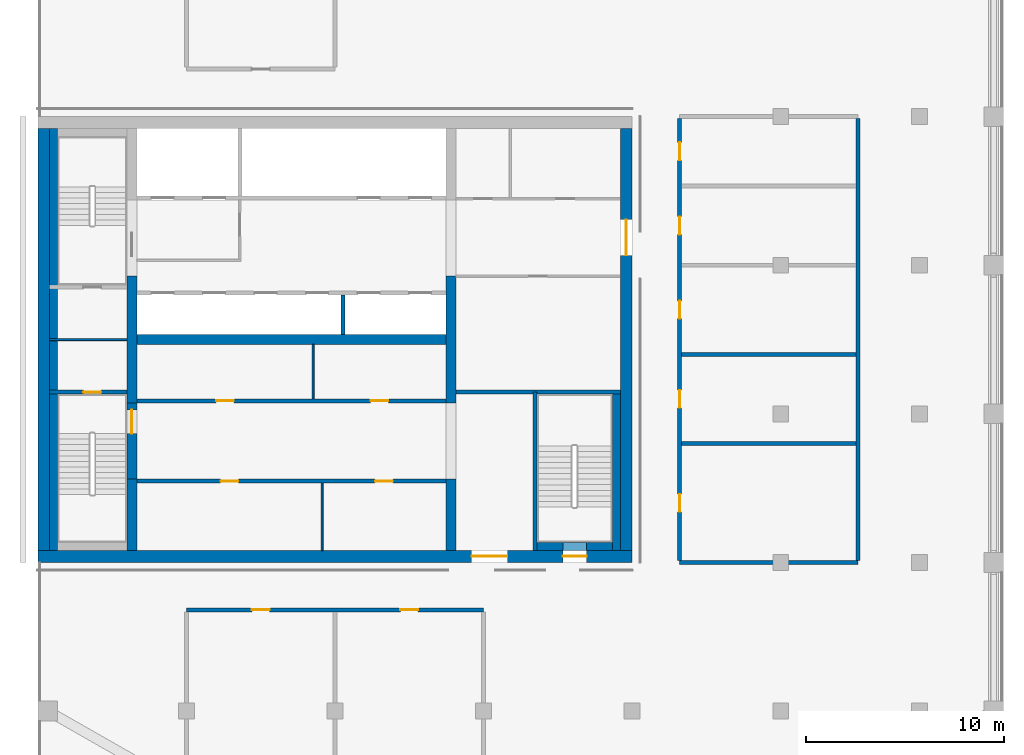
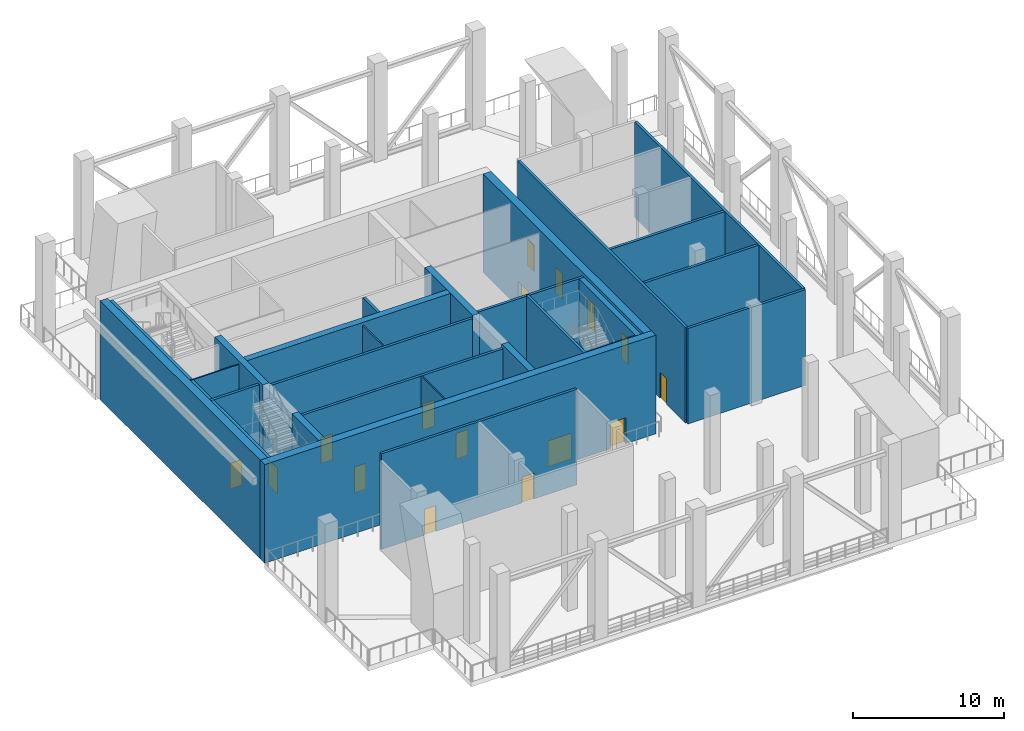
# One storey, part 2 of 11: 29 walls, 16 doors, 16 openings.
"""IFC4 building model written with IfcOpenShell, lengths in metres."""

from ifc_helpers import new_model, si_unit, direction, frame, frame_2d, origin, place, context, subcontext, project, spatial, rectangle, extrude, material, layer, layer_set, type_object, element, fill, save


model = new_model("IFC4")

# Units and contexts
model_context = context("Model", 3, precision=1e-05, world=origin(), true_north=direction((0.0, 1.0)))
body_context = subcontext(model_context, "Body", "Model", "MODEL_VIEW")
ifc_project = project(units=[si_unit("LENGTHUNIT", "METRE"), si_unit("AREAUNIT", "SQUARE_METRE"), si_unit("VOLUMEUNIT", "CUBIC_METRE"), si_unit("PLANEANGLEUNIT", "RADIAN"), si_unit("MASSUNIT", "GRAM", prefix="KILO")], contexts=[model_context])

# Site, building, storey
site_placement = place(None, origin())
site = spatial("IfcSite", under=ifc_project, at=site_placement, CompositionType="ELEMENT")
building_placement = place(site_placement, origin())
building = spatial("IfcBuilding", under=site, at=building_placement, Name="Tamorin Gate", CompositionType="ELEMENT")
storey_placement = place(building_placement, frame((0.0, 0.0, 258.199951171875)))
storey = spatial("IfcBuildingStorey", under=building, at=storey_placement, Name="L65", CompositionType="ELEMENT", Elevation=258.199951171875)

# Wall
ifc_material_1 = material(Name="Concrete C32/40", Category="concrete")
ifc_layer_1 = layer(ifc_material_1, 0.199951171875)
ifc_layer_set_1 = layer_set([ifc_layer_1], Name="Lift shaft wall 200 EI 120")
wall_type_1 = type_object("IfcWallType", Name="Lift shaft wall 200 EI 120", PredefinedType="SOLIDWALL", material=ifc_layer_set_1)
wall_1_placement = place(storey_placement, frame((45.39990234375, 71.5, 0.0), z_axis=(0.0, 0.0, 1.0), x_axis=(0.0, 1.0, 0.0)))
element("IfcWall", 1, at=wall_1_placement, inside=storey, type_object=wall_type_1, Name="Lift shaft wall", PredefinedType="SOLIDWALL", context=body_context, shape_type="SweptSolid", body=[
    extrude(rectangle(XDim=2.0, YDim=0.199951171875, at=frame_2d((1.0, 0.0))), origin(), (0.0, 0.0, 1.0), 8.0),
])

# Wall, openings, doors
ifc_material_2 = material(Name="Gypsum board partition")
ifc_layer_2 = layer(ifc_material_2, 0.199951171875)
ifc_layer_set_2 = layer_set([ifc_layer_2], Name="Plant and refuge wall 200")
wall_type_2 = type_object("IfcWallType", Name="Plant and refuge wall 200", PredefinedType="PARTITIONING", material=ifc_layer_set_2)
wall_2_placement = place(storey_placement, frame((37.5, 57.60009765625, 0.0), z_axis=(0.0, 0.0, 1.0), x_axis=(1.0, 0.0, 0.0)))
wall_2 = element("IfcWall", 2, at=wall_2_placement, inside=storey, type_object=wall_type_2, Name="Plant and refuge wall 200", PredefinedType="PARTITIONING", context=body_context, shape_type="SweptSolid", body=[
    extrude(rectangle(XDim=15.0, YDim=0.199951171875, at=frame_2d((7.5, 0.0))), origin(), (0.0, 0.0, 1.0), 7.75),
])
opening_1_placement = place(wall_2_placement, frame((3.300048828125, 0.0, 0.0)))
opening_1 = element("IfcOpeningElement", 3, at=opening_1_placement, cuts=wall_2, Name="Opening DWF2006", PredefinedType="OPENING", context=body_context, shape_type="SweptSolid", body=[
    extrude(rectangle(XDim=0.89990234375, YDim=2.10009765625, at=frame_2d((0.449951171875, 1.050048828125))), frame((0.0, 0.10986328125, 0.0), z_axis=(0.0, -1.0, 0.0), x_axis=(1.0, 0.0, 0.0)), (0.0, 0.0, 1.0), 0.219970703125),
])
opening_2_placement = place(wall_2_placement, frame((10.800048828125, 0.0, 0.0)))
opening_2 = element("IfcOpeningElement", 4, at=opening_2_placement, cuts=wall_2, Name="Opening DWF2007", PredefinedType="OPENING", context=body_context, shape_type="SweptSolid", body=[
    extrude(rectangle(XDim=0.89990234375, YDim=2.10009765625, at=frame_2d((0.449951171875, 1.050048828125))), frame((0.0, 0.10986328125, 0.0), z_axis=(0.0, -1.0, 0.0), x_axis=(1.0, 0.0, 0.0)), (0.0, 0.0, 1.0), 0.219970703125),
])
ifc_material_3 = material(Name="Timber door leaf", Category="wood")
door_type_1 = type_object("IfcDoorType", Name="Door 900 x 2100 FD60", OperationType="NOTDEFINED", PredefinedType="DOOR", material=ifc_material_3)
door_1_placement = place(opening_1_placement, origin())
door_1 = element("IfcDoor", 5, at=door_1_placement, inside=storey, type_object=door_type_1, Name="Door DWF2006", OperationType="SINGLE_SWING_RIGHT", OverallHeight=2.10009765625, OverallWidth=0.89990234375, PredefinedType="DOOR", context=body_context, shape_type="SweptSolid", body=[
    extrude(rectangle(XDim=0.89990234375, YDim=2.10009765625, at=frame_2d((0.449951171875, 1.050048828125))), frame((0.0, 0.02490234375, 0.0), z_axis=(0.0, -1.0, 0.0), x_axis=(1.0, 0.0, 0.0)), (0.0, 0.0, 1.0), 0.050048828125),
])
fill(opening_1, door_1)
door_2_placement = place(opening_2_placement, origin())
door_2 = element("IfcDoor", 6, at=door_2_placement, inside=storey, type_object=door_type_1, Name="Door DWF2007", OperationType="SINGLE_SWING_RIGHT", OverallHeight=2.10009765625, OverallWidth=0.89990234375, PredefinedType="DOOR", context=body_context, shape_type="SweptSolid", body=[
    extrude(rectangle(XDim=0.89990234375, YDim=2.10009765625, at=frame_2d((0.449951171875, 1.050048828125))), frame((0.0, 0.02490234375, 0.0), z_axis=(0.0, -1.0, 0.0), x_axis=(1.0, 0.0, 0.0)), (0.0, 0.0, 1.0), 0.050048828125),
])
fill(opening_2, door_2)

# Walls
wall_3_placement = place(storey_placement, frame((62.39990234375, 60.0, 0.0), z_axis=(0.0, 0.0, 1.0), x_axis=(1.0, 0.0, 0.0)))
element("IfcWall", 7, at=wall_3_placement, inside=storey, type_object=wall_type_2, Name="Plant and refuge wall 200", PredefinedType="PARTITIONING", context=body_context, shape_type="SweptSolid", body=[
    extrude(rectangle(XDim=9.0, YDim=0.199951171875, at=frame_2d((4.5, 0.0))), origin(), (0.0, 0.0, 1.0), 7.75),
])
for number, where, z_axis, x_axis, name in (
    (8, (62.5, 66.0, 0.0), (0.0, 0.0, 1.0), (1.0, 0.0, 0.0), "Plant and refuge wall 200"),
    (9, (62.5, 70.5, 0.0), (0.0, 0.0, 1.0), (1.0, 0.0, 0.0), "Plant and refuge wall 200"),
):
    element("IfcWall", number, at=place(storey_placement, frame(where, z_axis=z_axis, x_axis=x_axis)), inside=storey, type_object=wall_type_2, Name=name, PredefinedType="PARTITIONING", context=body_context, shape_type="SweptSolid", body=[
        extrude(rectangle(XDim=8.800048828125, YDim=0.199951171875, at=frame_2d((4.39990234375, 0.0))), origin(), (0.0, 0.0, 1.0), 7.75),
    ])

# Wall, openings, doors
wall_4_placement = place(storey_placement, frame((62.39990234375, 60.10009765625, 0.0), z_axis=(0.0, 0.0, 1.0), x_axis=(0.0, 1.0, 0.0)))
wall_4 = element("IfcWall", 10, at=wall_4_placement, inside=storey, type_object=wall_type_2, Name="Plant and refuge wall 200", PredefinedType="PARTITIONING", context=body_context, shape_type="SweptSolid", body=[
    extrude(rectangle(XDim=22.2998046875, YDim=0.199951171875, at=frame_2d((11.14990234375, 0.0))), origin(), (0.0, 0.0, 1.0), 7.75),
])
opening_3_placement = place(wall_4_placement, frame((2.449951171875, 0.0, 0.0)))
opening_3 = element("IfcOpeningElement", 11, at=opening_3_placement, cuts=wall_4, Name="Opening DWF2001", PredefinedType="OPENING", context=body_context, shape_type="SweptSolid", body=[
    extrude(rectangle(XDim=0.89990234375, YDim=2.10009765625, at=frame_2d((0.449951171875, 1.050048828125))), frame((0.0, 0.10986328125, 0.0), z_axis=(0.0, -1.0, 0.0), x_axis=(1.0, 0.0, 0.0)), (0.0, 0.0, 1.0), 0.219970703125),
])
opening_4_placement = place(wall_4_placement, frame((7.699951171875, 0.0, 0.0)))
opening_4 = element("IfcOpeningElement", 12, at=opening_4_placement, cuts=wall_4, Name="Opening DWF2002", PredefinedType="OPENING", context=body_context, shape_type="SweptSolid", body=[
    extrude(rectangle(XDim=0.89990234375, YDim=2.10009765625, at=frame_2d((0.449951171875, 1.050048828125))), frame((0.0, 0.10986328125, 0.0), z_axis=(0.0, -1.0, 0.0), x_axis=(1.0, 0.0, 0.0)), (0.0, 0.0, 1.0), 0.219970703125),
])
opening_5_placement = place(wall_4_placement, frame((12.199951171875, 0.0, 0.0)))
opening_5 = element("IfcOpeningElement", 13, at=opening_5_placement, cuts=wall_4, Name="Opening DWF2003", PredefinedType="OPENING", context=body_context, shape_type="SweptSolid", body=[
    extrude(rectangle(XDim=0.89990234375, YDim=2.10009765625, at=frame_2d((0.449951171875, 1.050048828125))), frame((0.0, 0.10986328125, 0.0), z_axis=(0.0, -1.0, 0.0), x_axis=(1.0, 0.0, 0.0)), (0.0, 0.0, 1.0), 0.219970703125),
])
opening_6_placement = place(wall_4_placement, frame((16.449951171875, 0.0, 0.0)))
opening_6 = element("IfcOpeningElement", 14, at=opening_6_placement, cuts=wall_4, Name="Opening DWF2004", PredefinedType="OPENING", context=body_context, shape_type="SweptSolid", body=[
    extrude(rectangle(XDim=0.89990234375, YDim=2.10009765625, at=frame_2d((0.449951171875, 1.050048828125))), frame((0.0, 0.10986328125, 0.0), z_axis=(0.0, -1.0, 0.0), x_axis=(1.0, 0.0, 0.0)), (0.0, 0.0, 1.0), 0.219970703125),
])
opening_7_placement = place(wall_4_placement, frame((20.199951171875, 0.0, 0.0)))
opening_7 = element("IfcOpeningElement", 15, at=opening_7_placement, cuts=wall_4, Name="Opening DWF2005", PredefinedType="OPENING", context=body_context, shape_type="SweptSolid", body=[
    extrude(rectangle(XDim=0.89990234375, YDim=2.10009765625, at=frame_2d((0.449951171875, 1.050048828125))), frame((0.0, 0.10986328125, 0.0), z_axis=(0.0, -1.0, 0.0), x_axis=(1.0, 0.0, 0.0)), (0.0, 0.0, 1.0), 0.219970703125),
])
door_3_placement = place(opening_3_placement, origin())
door_3 = element("IfcDoor", 16, at=door_3_placement, inside=storey, type_object=door_type_1, Name="Door DWF2001", OperationType="SINGLE_SWING_RIGHT", OverallHeight=2.10009765625, OverallWidth=0.89990234375, PredefinedType="DOOR", context=body_context, shape_type="SweptSolid", body=[
    extrude(rectangle(XDim=0.89990234375, YDim=2.10009765625, at=frame_2d((0.449951171875, 1.050048828125))), frame((0.0, 0.02490234375, 0.0), z_axis=(0.0, -1.0, 0.0), x_axis=(1.0, 0.0, 0.0)), (0.0, 0.0, 1.0), 0.050048828125),
])
fill(opening_3, door_3)
door_4_placement = place(opening_4_placement, origin())
door_4 = element("IfcDoor", 17, at=door_4_placement, inside=storey, type_object=door_type_1, Name="Door DWF2002", OperationType="SINGLE_SWING_RIGHT", OverallHeight=2.10009765625, OverallWidth=0.89990234375, PredefinedType="DOOR", context=body_context, shape_type="SweptSolid", body=[
    extrude(rectangle(XDim=0.89990234375, YDim=2.10009765625, at=frame_2d((0.449951171875, 1.050048828125))), frame((0.0, 0.02490234375, 0.0), z_axis=(0.0, -1.0, 0.0), x_axis=(1.0, 0.0, 0.0)), (0.0, 0.0, 1.0), 0.050048828125),
])
fill(opening_4, door_4)
door_5_placement = place(opening_5_placement, origin())
door_5 = element("IfcDoor", 18, at=door_5_placement, inside=storey, type_object=door_type_1, Name="Door DWF2003", OperationType="SINGLE_SWING_RIGHT", OverallHeight=2.10009765625, OverallWidth=0.89990234375, PredefinedType="DOOR", context=body_context, shape_type="SweptSolid", body=[
    extrude(rectangle(XDim=0.89990234375, YDim=2.10009765625, at=frame_2d((0.449951171875, 1.050048828125))), frame((0.0, 0.02490234375, 0.0), z_axis=(0.0, -1.0, 0.0), x_axis=(1.0, 0.0, 0.0)), (0.0, 0.0, 1.0), 0.050048828125),
])
fill(opening_5, door_5)
door_6_placement = place(opening_6_placement, origin())
door_6 = element("IfcDoor", 19, at=door_6_placement, inside=storey, type_object=door_type_1, Name="Door DWF2004", OperationType="SINGLE_SWING_RIGHT", OverallHeight=2.10009765625, OverallWidth=0.89990234375, PredefinedType="DOOR", context=body_context, shape_type="SweptSolid", body=[
    extrude(rectangle(XDim=0.89990234375, YDim=2.10009765625, at=frame_2d((0.449951171875, 1.050048828125))), frame((0.0, 0.02490234375, 0.0), z_axis=(0.0, -1.0, 0.0), x_axis=(1.0, 0.0, 0.0)), (0.0, 0.0, 1.0), 0.050048828125),
])
fill(opening_6, door_6)
door_7_placement = place(opening_7_placement, origin())
door_7 = element("IfcDoor", 20, at=door_7_placement, inside=storey, type_object=door_type_1, Name="Door DWF2005", OperationType="SINGLE_SWING_RIGHT", OverallHeight=2.10009765625, OverallWidth=0.89990234375, PredefinedType="DOOR", context=body_context, shape_type="SweptSolid", body=[
    extrude(rectangle(XDim=0.89990234375, YDim=2.10009765625, at=frame_2d((0.449951171875, 1.050048828125))), frame((0.0, 0.02490234375, 0.0), z_axis=(0.0, -1.0, 0.0), x_axis=(1.0, 0.0, 0.0)), (0.0, 0.0, 1.0), 0.050048828125),
])
fill(opening_7, door_7)

# Walls
wall_5_placement = place(storey_placement, frame((71.39990234375, 60.10009765625, 0.0), z_axis=(0.0, 0.0, 1.0), x_axis=(0.0, 1.0, 0.0)))
element("IfcWall", 21, at=wall_5_placement, inside=storey, type_object=wall_type_2, Name="Plant and refuge wall 200", PredefinedType="PARTITIONING", context=body_context, shape_type="SweptSolid", body=[
    extrude(rectangle(XDim=22.2998046875, YDim=0.199951171875, at=frame_2d((11.14990234375, 0.0))), origin(), (0.0, 0.0, 1.0), 7.75),
])
ifc_material_4 = material(Name="Concrete C50/60", Category="concrete")
ifc_layer_3 = layer(ifc_material_4, 0.5)
ifc_layer_set_3 = layer_set([ifc_layer_3], Name="RC core internal wall 500 C50/60")
wall_type_3 = type_object("IfcWallType", Name="RC core internal wall 500 C50/60", PredefinedType="SHEAR", material=ifc_layer_set_3)
wall_6_placement = place(storey_placement, frame((35.0, 71.25, 0.0), z_axis=(0.0, 0.0, 1.0), x_axis=(1.0, 0.0, 0.0)))
element("IfcWall", 22, at=wall_6_placement, inside=storey, type_object=wall_type_3, Name="Core spine wall L65", PredefinedType="SHEAR", context=body_context, shape_type="SweptSolid", body=[
    extrude(rectangle(XDim=15.60009765625, YDim=0.5, at=frame_2d((7.800048828125, 0.0))), origin(), (0.0, 0.0, 1.0), 8.0),
])
wall_7_placement = place(storey_placement, frame((34.75, 60.60009765625, 0.0), z_axis=(0.0, 0.0, 1.0), x_axis=(0.0, 1.0, 0.0)))
element("IfcWall", 23, at=wall_7_placement, inside=storey, type_object=wall_type_3, Name="Core cross wall L65", PredefinedType="SHEAR", context=body_context, shape_type="SweptSolid", body=[
    extrude(rectangle(XDim=3.599853515625, YDim=0.5, at=frame_2d((1.7998046875, 0.0))), origin(), (0.0, 0.0, 1.0), 8.0),
])
wall_8_placement = place(storey_placement, frame((34.75, 68.050048828125, 0.0), z_axis=(0.0, 0.0, 1.0), x_axis=(0.0, 1.0, 0.0)))
element("IfcWall", 24, at=wall_8_placement, inside=storey, type_object=wall_type_3, Name="Core cross wall L65", PredefinedType="SHEAR", context=body_context, shape_type="SweptSolid", body=[
    extrude(rectangle(XDim=6.39990234375, YDim=0.5, at=frame_2d((3.199951171875, 0.0))), origin(), (0.0, 0.0, 1.0), 8.0),
])
wall_9_placement = place(storey_placement, frame((50.85009765625, 60.60009765625, 0.0), z_axis=(0.0, 0.0, 1.0), x_axis=(0.0, 1.0, 0.0)))
element("IfcWall", 25, at=wall_9_placement, inside=storey, type_object=wall_type_3, Name="Core cross wall L65", PredefinedType="SHEAR", context=body_context, shape_type="SweptSolid", body=[
    extrude(rectangle(XDim=3.599853515625, YDim=0.5, at=frame_2d((1.7998046875, 0.0))), origin(), (0.0, 0.0, 1.0), 8.0),
])
wall_10_placement = place(storey_placement, frame((50.85009765625, 68.050048828125, 0.0), z_axis=(0.0, 0.0, 1.0), x_axis=(0.0, 1.0, 0.0)))
element("IfcWall", 26, at=wall_10_placement, inside=storey, type_object=wall_type_3, Name="Core cross wall L65", PredefinedType="SHEAR", context=body_context, shape_type="SweptSolid", body=[
    extrude(rectangle(XDim=6.39990234375, YDim=0.5, at=frame_2d((3.199951171875, 0.0))), origin(), (0.0, 0.0, 1.0), 8.0),
])

# Wall, openings, doors
ifc_layer_4 = layer(ifc_material_4, 0.60009765625)
ifc_layer_set_4 = layer_set([ifc_layer_4], Name="RC core wall 600 C50/60")
wall_type_4 = type_object("IfcWallType", Name="RC core wall 600 C50/60", PredefinedType="SHEAR", material=ifc_layer_set_4)
wall_11_placement = place(storey_placement, frame((30.0, 60.300048828125, 0.0), z_axis=(0.0, 0.0, 1.0), x_axis=(1.0, 0.0, 0.0)))
wall_11 = element("IfcWall", 27, at=wall_11_placement, inside=storey, type_object=wall_type_4, Name="Core wall L65", PredefinedType="SHEAR", context=body_context, shape_type="SweptSolid", body=[
    extrude(rectangle(XDim=30.0, YDim=0.60009765625, at=frame_2d((15.0, 0.0))), origin(), (0.0, 0.0, 1.0), 8.0),
])
opening_8_placement = place(wall_11_placement, frame((21.89990234375, 0.0, 0.0)))
opening_8 = element("IfcOpeningElement", 28, at=opening_8_placement, cuts=wall_11, Name="Opening DE1", PredefinedType="OPENING", context=body_context, shape_type="SweptSolid", body=[
    extrude(rectangle(XDim=1.800048828125, YDim=2.10009765625, at=frame_2d((0.89990234375, 1.050048828125))), frame((0.0, 0.31005859375, 0.0), z_axis=(0.0, -1.0, 0.0), x_axis=(1.0, 0.0, 0.0)), (0.0, 0.0, 1.0), 0.6201171875),
])
opening_9_placement = place(wall_11_placement, frame((26.5, 0.0, 0.0)))
opening_9 = element("IfcOpeningElement", 29, at=opening_9_placement, cuts=wall_11, Name="Opening DS1", PredefinedType="OPENING", context=body_context, shape_type="SweptSolid", body=[
    extrude(rectangle(XDim=1.199951171875, YDim=2.10009765625, at=frame_2d((0.60009765625, 1.050048828125))), frame((0.0, 0.31005859375, 0.0), z_axis=(0.0, -1.0, 0.0), x_axis=(1.0, 0.0, 0.0)), (0.0, 0.0, 1.0), 0.6201171875),
])
ifc_material_5 = material(Name="Steel fire door", Category="steel")
door_type_2 = type_object("IfcDoorType", Name="Lobby exit double door 1800 x 2100 EI 60", OperationType="DOUBLE_DOOR_SINGLE_SWING", PredefinedType="DOOR", material=ifc_material_5)
door_8_placement = place(opening_8_placement, origin())
door_8 = element("IfcDoor", 30, at=door_8_placement, inside=storey, type_object=door_type_2, Name="Lift lobby A exit door", OperationType="DOUBLE_DOOR_SINGLE_SWING", OverallHeight=2.10009765625, OverallWidth=1.800048828125, PredefinedType="DOOR", context=body_context, shape_type="SweptSolid", body=[
    extrude(rectangle(XDim=1.800048828125, YDim=2.10009765625, at=frame_2d((0.89990234375, 1.050048828125))), frame((0.0, 0.02490234375, 0.0), z_axis=(0.0, -1.0, 0.0), x_axis=(1.0, 0.0, 0.0)), (0.0, 0.0, 1.0), 0.050048828125),
])
fill(opening_8, door_8)
door_type_3 = type_object("IfcDoorType", Name="Stair door 1200 x 2100 EI 90", OperationType="SINGLE_SWING_LEFT", PredefinedType="DOOR", material=ifc_material_5)
door_9_placement = place(opening_9_placement, origin())
door_9 = element("IfcDoor", 31, at=door_9_placement, inside=storey, type_object=door_type_3, Name="ST3 door", OperationType="SINGLE_SWING_LEFT", OverallHeight=2.10009765625, OverallWidth=1.199951171875, PredefinedType="DOOR", context=body_context, shape_type="SweptSolid", body=[
    extrude(rectangle(XDim=1.199951171875, YDim=2.10009765625, at=frame_2d((0.60009765625, 1.050048828125))), frame((0.0, 0.02490234375, 0.0), z_axis=(0.0, -1.0, 0.0), x_axis=(1.0, 0.0, 0.0)), (0.0, 0.0, 1.0), 0.050048828125),
])
fill(opening_9, door_9)

# Wall
wall_12_placement = place(storey_placement, frame((30.300048828125, 60.60009765625, 0.0), z_axis=(0.0, 0.0, 1.0), x_axis=(0.0, 1.0, 0.0)))
element("IfcWall", 32, at=wall_12_placement, inside=storey, type_object=wall_type_4, Name="Core wall L65", PredefinedType="SHEAR", context=body_context, shape_type="SweptSolid", body=[
    extrude(rectangle(XDim=21.2998046875, YDim=0.60009765625, at=frame_2d((10.64990234375, 0.0))), origin(), (0.0, 0.0, 1.0), 8.0),
])

# Wall, opening, door
wall_13_placement = place(storey_placement, frame((59.699951171875, 60.60009765625, 0.0), z_axis=(0.0, 0.0, 1.0), x_axis=(0.0, 1.0, 0.0)))
wall_13 = element("IfcWall", 33, at=wall_13_placement, inside=storey, type_object=wall_type_4, Name="Core wall L65", PredefinedType="SHEAR", context=body_context, shape_type="SweptSolid", body=[
    extrude(rectangle(XDim=21.2998046875, YDim=0.60009765625, at=frame_2d((10.64990234375, 0.0))), origin(), (0.0, 0.0, 1.0), 8.0),
])
opening_10_placement = place(wall_13_placement, frame((14.89990234375, 0.0, 0.0)))
opening_10 = element("IfcOpeningElement", 34, at=opening_10_placement, cuts=wall_13, Name="Opening DE1", PredefinedType="OPENING", context=body_context, shape_type="SweptSolid", body=[
    extrude(rectangle(XDim=1.800048828125, YDim=2.10009765625, at=frame_2d((0.89990234375, 1.050048828125))), frame((0.0, 0.31005859375, 0.0), z_axis=(0.0, -1.0, 0.0), x_axis=(1.0, 0.0, 0.0)), (0.0, 0.0, 1.0), 0.6201171875),
])
door_10_placement = place(opening_10_placement, origin())
door_10 = element("IfcDoor", 35, at=door_10_placement, inside=storey, type_object=door_type_2, Name="Lift lobby B exit door", OperationType="DOUBLE_DOOR_SINGLE_SWING", OverallHeight=2.10009765625, OverallWidth=1.800048828125, PredefinedType="DOOR", context=body_context, shape_type="SweptSolid", body=[
    extrude(rectangle(XDim=1.800048828125, YDim=2.10009765625, at=frame_2d((0.89990234375, 1.050048828125))), frame((0.0, 0.02490234375, 0.0), z_axis=(0.0, -1.0, 0.0), x_axis=(1.0, 0.0, 0.0)), (0.0, 0.0, 1.0), 0.050048828125),
])
fill(opening_10, door_10)

# Wall
ifc_material_6 = material(Name="Fire-rated gypsum board partition")
ifc_layer_5 = layer(ifc_material_6, 0.10009765625)
ifc_layer_set_5 = layer_set([ifc_layer_5], Name="Riser partition 100 EI 120")
wall_type_5 = type_object("IfcWallType", Name="Riser partition 100 EI 120", PredefinedType="PARTITIONING", material=ifc_layer_set_5)
wall_14_placement = place(storey_placement, frame((30.60009765625, 71.25, 0.0), z_axis=(0.0, 0.0, 1.0), x_axis=(1.0, 0.0, 0.0)))
element("IfcWall", 36, at=wall_14_placement, inside=storey, type_object=wall_type_5, Name="Riser partition", PredefinedType="PARTITIONING", context=body_context, shape_type="SweptSolid", body=[
    extrude(rectangle(XDim=3.89990234375, YDim=0.10009765625, at=frame_2d((1.949951171875, 0.0))), origin(), (0.0, 0.0, 1.0), 7.75),
])

# Wall, openings, doors
ifc_layer_6 = layer(ifc_material_2, 0.199951171875)
ifc_layer_set_6 = layer_set([ifc_layer_6], Name="Service room face wall 200 EI 60")
wall_type_6 = type_object("IfcWallType", Name="Service room face wall 200 EI 60", PredefinedType="PARTITIONING", material=ifc_layer_set_6)
wall_15_placement = place(storey_placement, frame((35.0, 64.10009765625, 0.0), z_axis=(0.0, 0.0, 1.0), x_axis=(1.0, 0.0, 0.0)))
wall_15 = element("IfcWall", 37, at=wall_15_placement, inside=storey, type_object=wall_type_6, Name="Service room face wall", PredefinedType="PARTITIONING", context=body_context, shape_type="SweptSolid", body=[
    extrude(rectangle(XDim=15.60009765625, YDim=0.199951171875, at=frame_2d((7.800048828125, 0.0))), origin(), (0.0, 0.0, 1.0), 7.75),
])
opening_11_placement = place(wall_15_placement, frame((4.22509765625, 0.0, 0.0)))
opening_11 = element("IfcOpeningElement", 38, at=opening_11_placement, cuts=wall_15, Name="Opening DK1", PredefinedType="OPENING", context=body_context, shape_type="SweptSolid", body=[
    extrude(rectangle(XDim=0.89990234375, YDim=2.10009765625, at=frame_2d((0.449951171875, 1.050048828125))), frame((0.0, 0.10986328125, 0.0), z_axis=(0.0, -1.0, 0.0), x_axis=(1.0, 0.0, 0.0)), (0.0, 0.0, 1.0), 0.219970703125),
])
opening_12_placement = place(wall_15_placement, frame((12.02490234375, 0.0, 0.0)))
opening_12 = element("IfcOpeningElement", 39, at=opening_12_placement, cuts=wall_15, Name="Opening DK1", PredefinedType="OPENING", context=body_context, shape_type="SweptSolid", body=[
    extrude(rectangle(XDim=0.89990234375, YDim=2.10009765625, at=frame_2d((0.449951171875, 1.050048828125))), frame((0.0, 0.10986328125, 0.0), z_axis=(0.0, -1.0, 0.0), x_axis=(1.0, 0.0, 0.0)), (0.0, 0.0, 1.0), 0.219970703125),
])
ifc_material_7 = material(Name="Timber fire door", Category="wood")
door_type_4 = type_object("IfcDoorType", Name="Service room door 900 x 2100 EI 60", OperationType="SINGLE_SWING_LEFT", PredefinedType="DOOR", material=ifc_material_7)
door_11_placement = place(opening_11_placement, origin())
door_11 = element("IfcDoor", 40, at=door_11_placement, inside=storey, type_object=door_type_4, Name="Door Smoke extract riser room", OperationType="SINGLE_SWING_LEFT", OverallHeight=2.10009765625, OverallWidth=0.89990234375, PredefinedType="DOOR", context=body_context, shape_type="SweptSolid", body=[
    extrude(rectangle(XDim=0.89990234375, YDim=2.10009765625, at=frame_2d((0.449951171875, 1.050048828125))), frame((0.0, 0.02490234375, 0.0), z_axis=(0.0, -1.0, 0.0), x_axis=(1.0, 0.0, 0.0)), (0.0, 0.0, 1.0), 0.050048828125),
])
fill(opening_11, door_11)
door_12_placement = place(opening_12_placement, origin())
door_12 = element("IfcDoor", 41, at=door_12_placement, inside=storey, type_object=door_type_4, Name="Door Electrical switch room", OperationType="SINGLE_SWING_RIGHT", OverallHeight=2.10009765625, OverallWidth=0.89990234375, PredefinedType="DOOR", context=body_context, shape_type="SweptSolid", body=[
    extrude(rectangle(XDim=0.89990234375, YDim=2.10009765625, at=frame_2d((0.449951171875, 1.050048828125))), frame((0.0, 0.02490234375, 0.0), z_axis=(0.0, -1.0, 0.0), x_axis=(1.0, 0.0, 0.0)), (0.0, 0.0, 1.0), 0.050048828125),
])
fill(opening_12, door_12)

wall_16_placement = place(storey_placement, frame((35.0, 68.14990234375, 0.0), z_axis=(0.0, 0.0, 1.0), x_axis=(1.0, 0.0, 0.0)))
wall_16 = element("IfcWall", 42, at=wall_16_placement, inside=storey, type_object=wall_type_6, Name="Service room face wall", PredefinedType="PARTITIONING", context=body_context, shape_type="SweptSolid", body=[
    extrude(rectangle(XDim=15.60009765625, YDim=0.199951171875, at=frame_2d((7.800048828125, 0.0))), origin(), (0.0, 0.0, 1.0), 7.75),
])
opening_13_placement = place(wall_16_placement, frame((4.0, 0.0, 0.0)))
opening_13 = element("IfcOpeningElement", 43, at=opening_13_placement, cuts=wall_16, Name="Opening DK1", PredefinedType="OPENING", context=body_context, shape_type="SweptSolid", body=[
    extrude(rectangle(XDim=0.89990234375, YDim=2.10009765625, at=frame_2d((0.449951171875, 1.050048828125))), frame((0.0, 0.10986328125, 0.0), z_axis=(0.0, -1.0, 0.0), x_axis=(1.0, 0.0, 0.0)), (0.0, 0.0, 1.0), 0.219970703125),
])
opening_14_placement = place(wall_16_placement, frame((11.800048828125, 0.0, 0.0)))
opening_14 = element("IfcOpeningElement", 44, at=opening_14_placement, cuts=wall_16, Name="Opening DK1", PredefinedType="OPENING", context=body_context, shape_type="SweptSolid", body=[
    extrude(rectangle(XDim=0.89990234375, YDim=2.10009765625, at=frame_2d((0.449951171875, 1.050048828125))), frame((0.0, 0.10986328125, 0.0), z_axis=(0.0, -1.0, 0.0), x_axis=(1.0, 0.0, 0.0)), (0.0, 0.0, 1.0), 0.219970703125),
])
door_13_placement = place(opening_13_placement, origin())
door_13 = element("IfcDoor", 45, at=door_13_placement, inside=storey, type_object=door_type_4, Name="Door BMS room", OperationType="SINGLE_SWING_LEFT", OverallHeight=2.10009765625, OverallWidth=0.89990234375, PredefinedType="DOOR", context=body_context, shape_type="SweptSolid", body=[
    extrude(rectangle(XDim=0.89990234375, YDim=2.10009765625, at=frame_2d((0.449951171875, 1.050048828125))), frame((0.0, 0.02490234375, 0.0), z_axis=(0.0, -1.0, 0.0), x_axis=(1.0, 0.0, 0.0)), (0.0, 0.0, 1.0), 0.050048828125),
])
fill(opening_13, door_13)
door_14_placement = place(opening_14_placement, origin())
door_14 = element("IfcDoor", 46, at=door_14_placement, inside=storey, type_object=door_type_4, Name="Door Telecom room", OperationType="SINGLE_SWING_RIGHT", OverallHeight=2.10009765625, OverallWidth=0.89990234375, PredefinedType="DOOR", context=body_context, shape_type="SweptSolid", body=[
    extrude(rectangle(XDim=0.89990234375, YDim=2.10009765625, at=frame_2d((0.449951171875, 1.050048828125))), frame((0.0, 0.02490234375, 0.0), z_axis=(0.0, -1.0, 0.0), x_axis=(1.0, 0.0, 0.0)), (0.0, 0.0, 1.0), 0.050048828125),
])
fill(opening_14, door_14)

# Walls
ifc_layer_7 = layer(ifc_material_2, 0.10009765625)
ifc_layer_set_7 = layer_set([ifc_layer_7], Name="Service room partition 100 EI 60")
wall_type_7 = type_object("IfcWallType", Name="Service room partition 100 EI 60", PredefinedType="PARTITIONING", material=ifc_layer_set_7)
wall_17_placement = place(storey_placement, frame((44.35009765625, 60.60009765625, 0.0), z_axis=(0.0, 0.0, 1.0), x_axis=(0.0, 1.0, 0.0)))
element("IfcWall", 47, at=wall_17_placement, inside=storey, type_object=wall_type_7, Name="Service room partition", PredefinedType="PARTITIONING", context=body_context, shape_type="SweptSolid", body=[
    extrude(rectangle(XDim=3.39990234375, YDim=0.10009765625, at=frame_2d((1.699951171875, 0.0))), origin(), (0.0, 0.0, 1.0), 7.75),
])
wall_18_placement = place(storey_placement, frame((43.89990234375, 68.25, 0.0), z_axis=(0.0, 0.0, 1.0), x_axis=(0.0, 1.0, 0.0)))
element("IfcWall", 48, at=wall_18_placement, inside=storey, type_object=wall_type_7, Name="Service room partition", PredefinedType="PARTITIONING", context=body_context, shape_type="SweptSolid", body=[
    extrude(rectangle(XDim=2.75, YDim=0.10009765625, at=frame_2d((1.375, 0.0))), origin(), (0.0, 0.0, 1.0), 7.75),
])

# Wall, opening, door
ifc_material_8 = material(Name="Concrete C40/50", Category="concrete")
ifc_layer_8 = layer(ifc_material_8, 0.199951171875)
ifc_layer_set_8 = layer_set([ifc_layer_8], Name="Stair enclosure wall 200 EI 120 C40/50")
wall_type_8 = type_object("IfcWallType", Name="Stair enclosure wall 200 EI 120 C40/50", PredefinedType="SOLIDWALL", material=ifc_layer_set_8)
wall_19_placement = place(storey_placement, frame((30.60009765625, 68.60009765625, 0.0), z_axis=(0.0, 0.0, 1.0), x_axis=(1.0, 0.0, 0.0)))
wall_19 = element("IfcWall", 49, at=wall_19_placement, inside=storey, type_object=wall_type_8, Name="Stair enclosure wall", PredefinedType="SOLIDWALL", context=body_context, shape_type="SweptSolid", body=[
    extrude(rectangle(XDim=3.89990234375, YDim=0.199951171875, at=frame_2d((1.949951171875, 0.0))), origin(), (0.0, 0.0, 1.0), 7.75),
])
opening_15_placement = place(wall_19_placement, frame((1.699951171875, 0.0, 0.0)))
opening_15 = element("IfcOpeningElement", 50, at=opening_15_placement, cuts=wall_19, Name="Opening DR1", PredefinedType="OPENING", context=body_context, shape_type="SweptSolid", body=[
    extrude(rectangle(XDim=0.89990234375, YDim=2.10009765625, at=frame_2d((0.449951171875, 1.050048828125))), frame((0.0, 0.10986328125, 0.0), z_axis=(0.0, -1.0, 0.0), x_axis=(1.0, 0.0, 0.0)), (0.0, 0.0, 1.0), 0.219970703125),
])
door_type_5 = type_object("IfcDoorType", Name="Riser access door 900 x 2100 EI 120", OperationType="SINGLE_SWING_LEFT", PredefinedType="DOOR", material=ifc_material_5)
door_15_placement = place(opening_15_placement, origin())
door_15 = element("IfcDoor", 51, at=door_15_placement, inside=storey, type_object=door_type_5, Name="Electrical riser door", OperationType="SINGLE_SWING_LEFT", OverallHeight=2.10009765625, OverallWidth=0.89990234375, PredefinedType="DOOR", context=body_context, shape_type="SweptSolid", body=[
    extrude(rectangle(XDim=0.89990234375, YDim=2.10009765625, at=frame_2d((0.449951171875, 1.050048828125))), frame((0.0, 0.02490234375, 0.0), z_axis=(0.0, -1.0, 0.0), x_axis=(1.0, 0.0, 0.0)), (0.0, 0.0, 1.0), 0.050048828125),
])
fill(opening_15, door_15)

# Walls
wall_20_placement = place(storey_placement, frame((55.10009765625, 60.60009765625, 0.0), z_axis=(0.0, 0.0, 1.0), x_axis=(0.0, 1.0, 0.0)))
element("IfcWall", 52, at=wall_20_placement, inside=storey, type_object=wall_type_8, Name="Stair enclosure wall", PredefinedType="SOLIDWALL", context=body_context, shape_type="SweptSolid", body=[
    extrude(rectangle(XDim=8.0, YDim=0.199951171875, at=frame_2d((4.0, 0.0))), origin(), (0.0, 0.0, 1.0), 7.75),
])
wall_21_placement = place(storey_placement, frame((51.10009765625, 68.60009765625, 0.0), z_axis=(0.0, 0.0, 1.0), x_axis=(1.0, 0.0, 0.0)))
element("IfcWall", 53, at=wall_21_placement, inside=storey, type_object=wall_type_8, Name="Stair enclosure wall", PredefinedType="SOLIDWALL", context=body_context, shape_type="SweptSolid", body=[
    extrude(rectangle(XDim=8.2998046875, YDim=0.199951171875, at=frame_2d((4.14990234375, 0.0))), origin(), (0.0, 0.0, 1.0), 7.75),
])
ifc_layer_9 = layer(ifc_material_4, 0.39990234375)
ifc_layer_set_9 = layer_set([ifc_layer_9], Name="Stair lining wall 400 EI 120 C50/60")
wall_type_9 = type_object("IfcWallType", Name="Stair lining wall 400 EI 120 C50/60", PredefinedType="SOLIDWALL", material=ifc_layer_set_9)
wall_22_placement = place(storey_placement, frame((30.800048828125, 60.60009765625, 0.0), z_axis=(0.0, 0.0, 1.0), x_axis=(0.0, 1.0, 0.0)))
element("IfcWall", 54, at=wall_22_placement, inside=storey, type_object=wall_type_9, Name="Stair lining wall", PredefinedType="SOLIDWALL", context=body_context, shape_type="SweptSolid", body=[
    extrude(rectangle(XDim=21.2998046875, YDim=0.39990234375, at=frame_2d((10.64990234375, 0.0))), origin(), (0.0, 0.0, 1.0), 7.75),
])
for number, where, z_axis, x_axis, name in (
    (55, (55.199951171875, 60.800048828125, 0.0), (0.0, 0.0, 1.0), (1.0, 0.0, 0.0), "Stair lining wall"),
    (56, (57.699951171875, 60.800048828125, 0.0), (0.0, 0.0, 1.0), (1.0, 0.0, 0.0), "Stair lining wall"),
):
    element("IfcWall", number, at=place(storey_placement, frame(where, z_axis=z_axis, x_axis=x_axis)), inside=storey, type_object=wall_type_9, Name=name, PredefinedType="SOLIDWALL", context=body_context, shape_type="SweptSolid", body=[
        extrude(rectangle(XDim=1.300048828125, YDim=0.39990234375, at=frame_2d((0.64990234375, 0.0))), origin(), (0.0, 0.0, 1.0), 7.75),
    ])
wall_23_placement = place(storey_placement, frame((59.199951171875, 60.60009765625, 0.0), z_axis=(0.0, 0.0, 1.0), x_axis=(0.0, 1.0, 0.0)))
element("IfcWall", 57, at=wall_23_placement, inside=storey, type_object=wall_type_9, Name="Stair lining wall", PredefinedType="SOLIDWALL", context=body_context, shape_type="SweptSolid", body=[
    extrude(rectangle(XDim=7.89990234375, YDim=0.39990234375, at=frame_2d((3.949951171875, 0.0))), origin(), (0.0, 0.0, 1.0), 7.75),
])
wall_24_placement = place(storey_placement, frame((56.5, 60.800048828125, 3.199951171875), z_axis=(0.0, 0.0, 1.0), x_axis=(1.0, 0.0, 0.0)))
element("IfcWall", 58, at=wall_24_placement, inside=storey, type_object=wall_type_9, Name="Stair lining wall", PredefinedType="SOLIDWALL", context=body_context, shape_type="SweptSolid", body=[
    extrude(rectangle(XDim=1.199951171875, YDim=0.39990234375, at=frame_2d((0.60009765625, 0.0))), origin(), (0.0, 0.0, 1.0), 4.550048828125),
])

# Wall, opening, door
ifc_layer_10 = layer(ifc_material_1, 0.5)
ifc_layer_set_10 = layer_set([ifc_layer_10], Name="Stair lobby infill wall 500 EI 120")
wall_type_10 = type_object("IfcWallType", Name="Stair lobby infill wall 500 EI 120", PredefinedType="SOLIDWALL", material=ifc_layer_set_10)
wall_25_placement = place(storey_placement, frame((34.75, 64.199951171875, 0.0), z_axis=(0.0, 0.0, 1.0), x_axis=(0.0, 1.0, 0.0)))
wall_25 = element("IfcWall", 59, at=wall_25_placement, inside=storey, type_object=wall_type_10, Name="Stair lobby infill wall", PredefinedType="SOLIDWALL", context=body_context, shape_type="SweptSolid", body=[
    extrude(rectangle(XDim=3.85009765625, YDim=0.5, at=frame_2d((1.925048828125, 0.0))), origin(), (0.0, 0.0, 1.0), 6.800048828125),
])
opening_16_placement = place(wall_25_placement, frame((2.300048828125, 0.0, 0.0)))
opening_16 = element("IfcOpeningElement", 60, at=opening_16_placement, cuts=wall_25, Name="Opening DS1", PredefinedType="OPENING", context=body_context, shape_type="SweptSolid", body=[
    extrude(rectangle(XDim=1.199951171875, YDim=2.10009765625, at=frame_2d((0.60009765625, 1.050048828125))), frame((0.0, 0.260009765625, 0.0), z_axis=(0.0, -1.0, 0.0), x_axis=(1.0, 0.0, 0.0)), (0.0, 0.0, 1.0), 0.52001953125),
])
door_16_placement = place(opening_16_placement, origin())
door_16 = element("IfcDoor", 61, at=door_16_placement, inside=storey, type_object=door_type_3, Name="ST1 door", OperationType="SINGLE_SWING_LEFT", OverallHeight=2.10009765625, OverallWidth=1.199951171875, PredefinedType="DOOR", context=body_context, shape_type="SweptSolid", body=[
    extrude(rectangle(XDim=1.199951171875, YDim=2.10009765625, at=frame_2d((0.60009765625, 1.050048828125))), frame((0.0, 0.02490234375, 0.0), z_axis=(0.0, -1.0, 0.0), x_axis=(1.0, 0.0, 0.0)), (0.0, 0.0, 1.0), 0.050048828125),
])
fill(opening_16, door_16)

save(model, "model.ifc")
